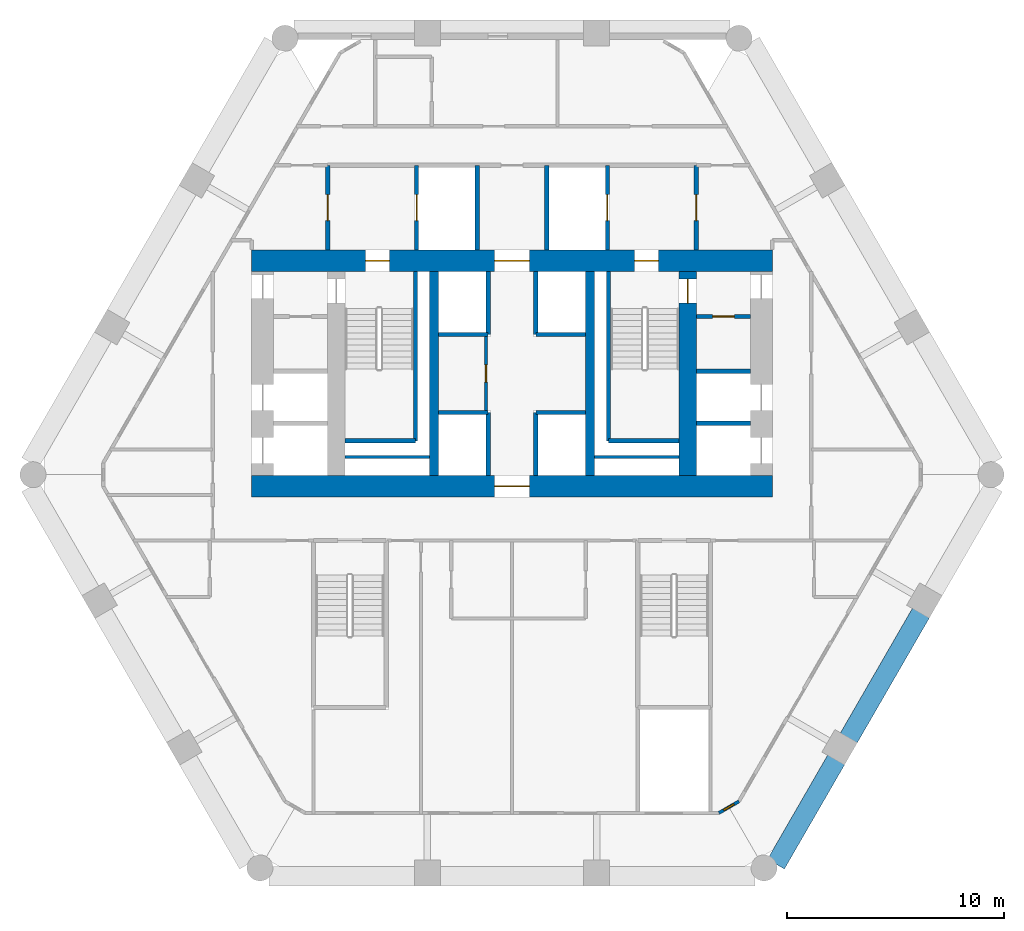
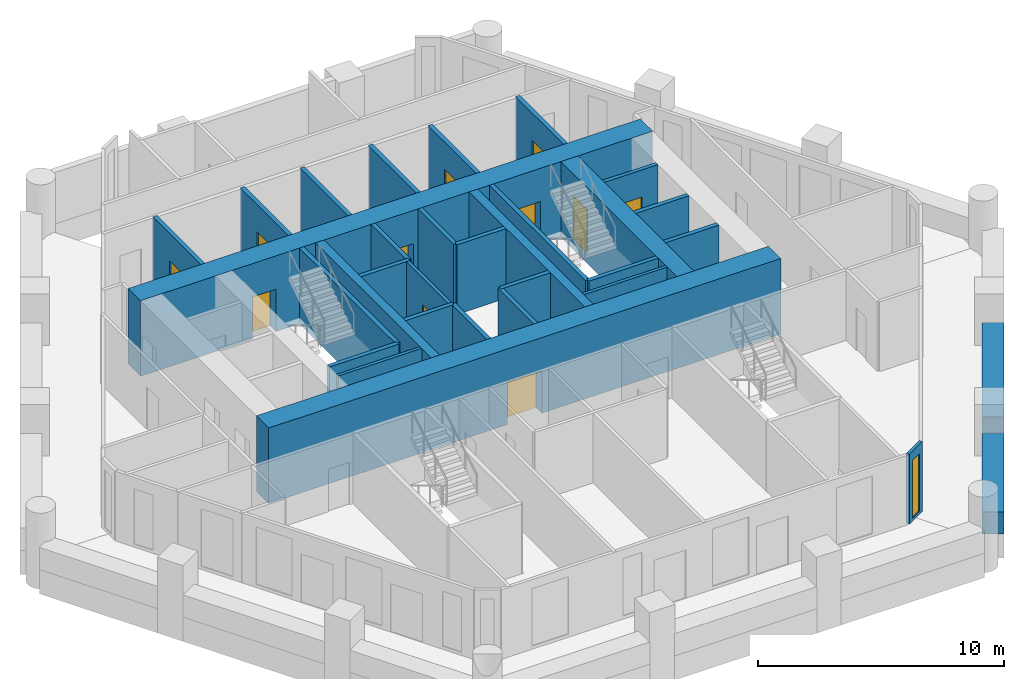
# One storey, part 4 of 7: 32 walls, 11 doors, 1 window, 12 openings.
"""IFC4 building model written with IfcOpenShell, lengths in metres."""

from ifc_helpers import new_model, si_unit, direction, frame, frame_2d, origin, place, context, subcontext, project, spatial, rectangle, extrude, material, layer, layer_set, type_object, element, fill, save


model = new_model("IFC4")

# Units and contexts
model_context = context("Model", 3, precision=1e-05, world=origin(), true_north=direction((0.0, 1.0)))
body_context = subcontext(model_context, "Body", "Model", "MODEL_VIEW")
ifc_project = project(units=[si_unit("LENGTHUNIT", "METRE"), si_unit("AREAUNIT", "SQUARE_METRE"), si_unit("VOLUMEUNIT", "CUBIC_METRE"), si_unit("PLANEANGLEUNIT", "RADIAN"), si_unit("MASSUNIT", "GRAM", prefix="KILO")], contexts=[model_context])

# Site, building, storey
site_placement = place(None, origin())
site = spatial("IfcSite", under=ifc_project, at=site_placement, CompositionType="ELEMENT")
building_placement = place(site_placement, origin())
building = spatial("IfcBuilding", under=site, at=building_placement, Name="Ostrander Bayou Hotel Tower", CompositionType="ELEMENT")
storey_placement = place(building_placement, frame((0.0, 0.0, 123.5)))
storey = spatial("IfcBuildingStorey", under=building, at=storey_placement, Name="L30", CompositionType="ELEMENT", Elevation=123.5)

# Wall, opening, door
ifc_material_1 = material(Name="Concrete f'c 70 MPa", Category="concrete")
ifc_layer_1 = layer(ifc_material_1, 1.0)
ifc_layer_set_1 = layer_set([ifc_layer_1], Name="CW4 core wall 1000 mm f'c 70 MPa")
wall_type_1 = type_object("IfcWallType", Name="CW4 core wall 1000 mm f'c 70 MPa", PredefinedType="SHEAR", material=ifc_layer_set_1)
wall_1_placement = place(storey_placement, frame((-12.0, -1.199951171875, -0.300048828125), z_axis=(0.0, 0.0, 1.0), x_axis=(1.0, 0.0, 0.0)))
wall_1 = element("IfcWall", 1, at=wall_1_placement, inside=storey, type_object=wall_type_1, Name="CW4 L30 S", PredefinedType="SHEAR", context=body_context, shape_type="SweptSolid", body=[
    extrude(rectangle(XDim=24.0, YDim=1.0, at=frame_2d((12.0, 0.0))), origin(), (0.0, 0.0, 1.0), 3.75),
])
opening_1_placement = place(wall_1_placement, frame((11.199951171875, 0.0, 0.0)))
opening_1 = element("IfcOpeningElement", 2, at=opening_1_placement, cuts=wall_1, Name="Opening T28-001", PredefinedType="OPENING", context=body_context, shape_type="SweptSolid", body=[
    extrude(rectangle(XDim=1.60009765625, YDim=2.10009765625, at=frame_2d((0.800048828125, 1.050048828125))), frame((0.0, 0.5, 0.0), z_axis=(0.0, -1.0, 0.0), x_axis=(1.0, 0.0, 0.0)), (0.0, 0.0, 1.0), 1.0),
])
ifc_material_2 = material(Name="Timber door leaf", Category="wood")
door_type_1 = type_object("IfcDoorType", Name="D13 double door 1600 x 2100 mm, 1 hour", OperationType="SINGLE_SWING_LEFT", PredefinedType="DOOR", material=ifc_material_2)
door_1_placement = place(opening_1_placement, origin())
door_1 = element("IfcDoor", 3, at=door_1_placement, inside=storey, type_object=door_type_1, Name="dr:L30:001", OperationType="DOUBLE_DOOR_SINGLE_SWING", OverallHeight=2.10009765625, OverallWidth=1.60009765625, PredefinedType="DOOR", context=body_context, shape_type="SweptSolid", body=[
    extrude(rectangle(XDim=1.60009765625, YDim=2.10009765625, at=frame_2d((0.800048828125, 1.050048828125))), frame((0.0, 0.02490234375, 0.0), z_axis=(0.0, -1.0, 0.0), x_axis=(1.0, 0.0, 0.0)), (0.0, 0.0, 1.0), 0.050048828125),
])
fill(opening_1, door_1)

# Wall, openings, doors
wall_2_placement = place(storey_placement, frame((-12.0, 9.199951171875, -0.300048828125), z_axis=(0.0, 0.0, 1.0), x_axis=(1.0, 0.0, 0.0)))
wall_2 = element("IfcWall", 4, at=wall_2_placement, inside=storey, type_object=wall_type_1, Name="CW4 L30 N", PredefinedType="SHEAR", context=body_context, shape_type="SweptSolid", body=[
    extrude(rectangle(XDim=24.0, YDim=1.0, at=frame_2d((12.0, 0.0))), origin(), (0.0, 0.0, 1.0), 3.75),
])
opening_2_placement = place(wall_2_placement, frame((11.199951171875, 0.0, 0.0)))
opening_2 = element("IfcOpeningElement", 5, at=opening_2_placement, cuts=wall_2, Name="Opening T28-002", PredefinedType="OPENING", context=body_context, shape_type="SweptSolid", body=[
    extrude(rectangle(XDim=1.60009765625, YDim=2.10009765625, at=frame_2d((0.800048828125, 1.050048828125))), frame((0.0, 0.5, 0.0), z_axis=(0.0, -1.0, 0.0), x_axis=(1.0, 0.0, 0.0)), (0.0, 0.0, 1.0), 1.0),
])
opening_3_placement = place(wall_2_placement, frame((5.25, 0.0, 0.0)))
opening_3 = element("IfcOpeningElement", 6, at=opening_3_placement, cuts=wall_2, Name="Opening T28-003", PredefinedType="OPENING", context=body_context, shape_type="SweptSolid", body=[
    extrude(rectangle(XDim=1.10009765625, YDim=2.10009765625, at=frame_2d((0.550048828125, 1.050048828125))), frame((0.0, 0.5, 0.0), z_axis=(0.0, -1.0, 0.0), x_axis=(1.0, 0.0, 0.0)), (0.0, 0.0, 1.0), 1.0),
])
opening_4_placement = place(wall_2_placement, frame((17.64990234375, 0.0, 0.0)))
opening_4 = element("IfcOpeningElement", 7, at=opening_4_placement, cuts=wall_2, Name="Opening T28-005", PredefinedType="OPENING", context=body_context, shape_type="SweptSolid", body=[
    extrude(rectangle(XDim=1.10009765625, YDim=2.10009765625, at=frame_2d((0.550048828125, 1.050048828125))), frame((0.0, 0.5, 0.0), z_axis=(0.0, -1.0, 0.0), x_axis=(1.0, 0.0, 0.0)), (0.0, 0.0, 1.0), 1.0),
])
door_2_placement = place(opening_2_placement, origin())
door_2 = element("IfcDoor", 8, at=door_2_placement, inside=storey, type_object=door_type_1, Name="dr:L30:002", OperationType="DOUBLE_DOOR_SINGLE_SWING", OverallHeight=2.10009765625, OverallWidth=1.60009765625, PredefinedType="DOOR", context=body_context, shape_type="SweptSolid", body=[
    extrude(rectangle(XDim=1.60009765625, YDim=2.10009765625, at=frame_2d((0.800048828125, 1.050048828125))), frame((0.0, 0.02490234375, 0.0), z_axis=(0.0, -1.0, 0.0), x_axis=(1.0, 0.0, 0.0)), (0.0, 0.0, 1.0), 0.050048828125),
])
fill(opening_2, door_2)
ifc_material_3 = material(Name="Timber door leaf", Category="wood")
door_type_2 = type_object("IfcDoorType", Name="D5 stair door 1100 x 2100 mm, 90 minute", OperationType="SINGLE_SWING_LEFT", PredefinedType="DOOR", material=ifc_material_3)
door_3_placement = place(opening_3_placement, origin())
door_3 = element("IfcDoor", 9, at=door_3_placement, inside=storey, type_object=door_type_2, Name="dr:L30:003", OperationType="SINGLE_SWING_LEFT", OverallHeight=2.10009765625, OverallWidth=1.10009765625, PredefinedType="DOOR", context=body_context, shape_type="SweptSolid", body=[
    extrude(rectangle(XDim=1.10009765625, YDim=2.10009765625, at=frame_2d((0.550048828125, 1.050048828125))), frame((0.0, 0.02490234375, 0.0), z_axis=(0.0, -1.0, 0.0), x_axis=(1.0, 0.0, 0.0)), (0.0, 0.0, 1.0), 0.050048828125),
])
fill(opening_3, door_3)
door_4_placement = place(opening_4_placement, origin())
door_4 = element("IfcDoor", 10, at=door_4_placement, inside=storey, type_object=door_type_2, Name="dr:L30:005", OperationType="SINGLE_SWING_RIGHT", OverallHeight=2.10009765625, OverallWidth=1.10009765625, PredefinedType="DOOR", context=body_context, shape_type="SweptSolid", body=[
    extrude(rectangle(XDim=1.10009765625, YDim=2.10009765625, at=frame_2d((0.550048828125, 1.050048828125))), frame((0.0, 0.02490234375, 0.0), z_axis=(0.0, -1.0, 0.0), x_axis=(1.0, 0.0, 0.0)), (0.0, 0.0, 1.0), 0.050048828125),
])
fill(opening_4, door_4)

# Wall, opening, door
ifc_material_4 = material(Name="Concrete f'c 70 MPa", Category="concrete")
ifc_layer_2 = layer(ifc_material_4, 0.800048828125)
ifc_layer_set_2 = layer_set([ifc_layer_2], Name="CW5 core spine wall 800 mm f'c 70 MPa")
wall_type_2 = type_object("IfcWallType", Name="CW5 core spine wall 800 mm f'c 70 MPa", PredefinedType="SHEAR", material=ifc_layer_set_2)
wall_3_placement = place(storey_placement, frame((8.10009765625, -0.699951171875, -0.300048828125), z_axis=(0.0, 0.0, 1.0), x_axis=(0.0, 1.0, 0.0)))
wall_3 = element("IfcWall", 11, at=wall_3_placement, inside=storey, type_object=wall_type_2, Name="CW5 L30 E", PredefinedType="SHEAR", context=body_context, shape_type="SweptSolid", body=[
    extrude(rectangle(XDim=9.39990234375, YDim=0.800048828125, at=frame_2d((4.699951171875, 0.0))), origin(), (0.0, 0.0, 1.0), 3.75),
])
opening_5_placement = place(wall_3_placement, frame((7.949951171875, 0.0, 0.0)))
opening_5 = element("IfcOpeningElement", 12, at=opening_5_placement, cuts=wall_3, Name="Opening T28-006", PredefinedType="OPENING", context=body_context, shape_type="SweptSolid", body=[
    extrude(rectangle(XDim=1.10009765625, YDim=2.10009765625, at=frame_2d((0.550048828125, 1.050048828125))), frame((0.0, 0.39990234375, 0.0), z_axis=(0.0, -1.0, 0.0), x_axis=(1.0, 0.0, 0.0)), (0.0, 0.0, 1.0), 0.800048828125),
])
door_5_placement = place(opening_5_placement, origin())
door_5 = element("IfcDoor", 13, at=door_5_placement, inside=storey, type_object=door_type_2, Name="dr:L30:006", OperationType="SINGLE_SWING_LEFT", OverallHeight=2.10009765625, OverallWidth=1.10009765625, PredefinedType="DOOR", context=body_context, shape_type="SweptSolid", body=[
    extrude(rectangle(XDim=1.10009765625, YDim=2.10009765625, at=frame_2d((0.550048828125, 1.050048828125))), frame((0.0, 0.02490234375, 0.0), z_axis=(0.0, -1.0, 0.0), x_axis=(1.0, 0.0, 0.0)), (0.0, 0.0, 1.0), 0.050048828125),
])
fill(opening_5, door_5)

# Walls
ifc_material_5 = material(Name="Concrete f'c 70 MPa", Category="concrete")
ifc_layer_3 = layer(ifc_material_5, 0.39990234375)
ifc_layer_set_3 = layer_set([ifc_layer_3], Name="CW6 core bank wall 400 mm f'c 70 MPa")
wall_type_3 = type_object("IfcWallType", Name="CW6 core bank wall 400 mm f'c 70 MPa", PredefinedType="SHEAR", material=ifc_layer_set_3)
for number, where, z_axis, x_axis, name in (
    (14, (-3.60009765625, -0.699951171875, -0.300048828125), (0.0, 0.0, 1.0), (0.0, 1.0, 0.0), "CW6 L30 CW"),
    (15, (3.60009765625, -0.699951171875, -0.300048828125), (0.0, 0.0, 1.0), (0.0, 1.0, 0.0), "CW6 L30 CE"),
):
    element("IfcWall", number, at=place(storey_placement, frame(where, z_axis=z_axis, x_axis=x_axis)), inside=storey, type_object=wall_type_3, Name=name, PredefinedType="SHEAR", context=body_context, shape_type="SweptSolid", body=[
        extrude(rectangle(XDim=9.39990234375, YDim=0.39990234375, at=frame_2d((4.699951171875, 0.0))), origin(), (0.0, 0.0, 1.0), 3.75),
    ])

# Wall, opening, window
ifc_material_6 = material(Name="Aluminium framed insulated wall", Category="aluminium")
ifc_layer_4 = layer(ifc_material_6, 0.14990234375)
ifc_layer_set_4 = layer_set([ifc_layer_4], Name="GW1 glass-line wall 150 mm")
wall_type_4 = type_object("IfcWallType", Name="GW1 glass-line wall 150 mm", PredefinedType="SOLIDWALL", material=ifc_layer_set_4)
wall_4_placement = place(storey_placement, frame((9.541015625, -16.259521484375, 0.0), z_axis=(0.0, 0.0, 1.0), x_axis=(0.866048165231, 0.499960573946, 0.0)))
wall_4 = element("IfcWall", 16, at=wall_4_placement, inside=storey, type_object=wall_type_4, Name="GW1 L30 corner 4", PredefinedType="SOLIDWALL", context=body_context, shape_type="SweptSolid", body=[
    extrude(rectangle(XDim=1.06494140625, YDim=0.14990234375, at=frame_2d((0.532470703125, 0.0))), origin(), (0.0, 0.0, 1.0), 3.449951171875),
])
opening_6_placement = place(wall_4_placement, frame((0.257568359375, 0.0, 0.14990234375)))
opening_6 = element("IfcOpeningElement", 17, at=opening_6_placement, cuts=wall_4, Name="Opening W19", PredefinedType="OPENING", context=body_context, shape_type="SweptSolid", body=[
    extrude(rectangle(XDim=0.550048828125, YDim=2.85009765625, at=frame_2d((0.27490234375, 1.425048828125))), frame((0.0, 0.074951171875, 0.0), z_axis=(0.0, -1.0, 0.0), x_axis=(1.0, 0.0, 0.0)), (0.0, 0.0, 1.0), 0.14990234375),
])
ifc_material_7 = material(Name="Aluminium and clear glass", Category="aluminium")
window_type = type_object("IfcWindowType", Name="W19 corner window 550 mm", PartitioningType="SINGLE_PANEL", PredefinedType="WINDOW", material=ifc_material_7)
window_placement = place(opening_6_placement, origin())
window = element("IfcWindow", 18, at=window_placement, inside=storey, type_object=window_type, Name="W19 L30 corner 4", OverallHeight=2.85009765625, OverallWidth=0.550048828125, PartitioningType="SINGLE_PANEL", PredefinedType="WINDOW", context=body_context, shape_type="SweptSolid", body=[
    extrude(rectangle(XDim=0.550048828125, YDim=2.85009765625, at=frame_2d((0.27490234375, 1.425048828125))), frame((0.0, 0.030029296875, 0.0), z_axis=(0.0, -1.0, 0.0), x_axis=(1.0, 0.0, 0.0)), (0.0, 0.0, 1.0), 0.06005859375),
])
fill(opening_6, window)

# Walls
ifc_material_8 = material(Name="Limestone masonry", Category="masonry")
ifc_layer_5 = layer(ifc_material_8, 0.89990234375)
ifc_layer_set_5 = layer_set([ifc_layer_5], Name="PA2 limestone parapet 900 mm")
wall_type_5 = type_object("IfcWallType", Name="PA2 limestone parapet 900 mm", PredefinedType="PARAPET", material=ifc_layer_set_5)
wall_5_placement = place(storey_placement, frame((12.169921875, -18.620849609375, 0.0), z_axis=(0.0, 0.0, 1.0), x_axis=(0.500008568482, 0.866020456713, 0.0)))
element("IfcWall", 19, at=wall_5_placement, inside=storey, type_object=wall_type_5, Name="PA2 L30 SE-1", PredefinedType="PARAPET", context=body_context, shape_type="SweptSolid", body=[
    extrude(rectangle(XDim=5.564453125, YDim=0.89990234375, at=frame_2d((2.7822265625, 0.0))), origin(), (0.0, 0.0, 1.0), 1.10009765625),
])
wall_6_placement = place(storey_placement, frame((15.522216796875, -12.814697265625, 0.0), z_axis=(0.0, 0.0, 1.0), x_axis=(0.499999023957, 0.866025967302, 0.0)))
element("IfcWall", 20, at=wall_6_placement, inside=storey, type_object=wall_type_5, Name="PA2 L30 SE-2", PredefinedType="PARAPET", context=body_context, shape_type="SweptSolid", body=[
    extrude(rectangle(XDim=6.67333984375, YDim=0.89990234375, at=frame_2d((3.336669921875, 0.0))), origin(), (0.0, 0.0, 1.0), 1.10009765625),
])

# Wall, opening, door
ifc_material_9 = material(Name="Gypsum board partition", Category="finish")
ifc_layer_6 = layer(ifc_material_9, 0.175048828125)
ifc_layer_set_6 = layer_set([ifc_layer_6], Name="PT4 corridor wall 175 mm, 1 hour")
wall_type_6 = type_object("IfcWallType", Name="PT4 corridor wall 175 mm, 1 hour", PredefinedType="PARTITIONING", material=ifc_layer_set_6)
wall_7_placement = place(storey_placement, frame((8.5, 6.6298828125, 0.0), z_axis=(0.0, 0.0, 1.0), x_axis=(1.0, 0.0, 0.0)))
wall_7 = element("IfcWall", 21, at=wall_7_placement, inside=storey, type_object=wall_type_6, Name="cs:L30:038", PredefinedType="PARTITIONING", context=body_context, shape_type="SweptSolid", body=[
    extrude(rectangle(XDim=2.5, YDim=0.175048828125, at=frame_2d((1.25, 0.0))), origin(), (0.0, 0.0, 1.0), 3.449951171875),
])
opening_7_placement = place(wall_7_placement, frame((0.75, 0.0, 0.0)))
opening_7 = element("IfcOpeningElement", 22, at=opening_7_placement, cuts=wall_7, Name="Opening T28-019", PredefinedType="OPENING", context=body_context, shape_type="SweptSolid", body=[
    extrude(rectangle(XDim=1.0, YDim=2.10009765625, at=frame_2d((0.5, 1.050048828125))), frame((0.0, 0.08740234375, 0.0), z_axis=(0.0, -1.0, 0.0), x_axis=(1.0, 0.0, 0.0)), (0.0, 0.0, 1.0), 0.175048828125),
])
ifc_material_10 = material(Name="Timber door leaf", Category="wood")
door_type_3 = type_object("IfcDoorType", Name="D4 corridor door 1000 x 2100 mm, 1 hour", OperationType="SINGLE_SWING_LEFT", PredefinedType="DOOR", material=ifc_material_10)
door_6_placement = place(opening_7_placement, origin())
door_6 = element("IfcDoor", 23, at=door_6_placement, inside=storey, type_object=door_type_3, Name="dr:L30:019", OperationType="SINGLE_SWING_RIGHT", OverallHeight=2.10009765625, OverallWidth=1.0, PredefinedType="DOOR", context=body_context, shape_type="SweptSolid", body=[
    extrude(rectangle(XDim=1.0, YDim=2.10009765625, at=frame_2d((0.5, 1.050048828125))), frame((0.0, 0.02490234375, 0.0), z_axis=(0.0, -1.0, 0.0), x_axis=(1.0, 0.0, 0.0)), (0.0, 0.0, 1.0), 0.050048828125),
])
fill(opening_7, door_6)

ifc_material_11 = material(Name="Masonry block", Category="masonry")
ifc_layer_7 = layer(ifc_material_11, 0.199951171875)
ifc_layer_set_7 = layer_set([ifc_layer_7], Name="PT5 stair enclosure wall 200 mm masonry, 2 hour")
wall_type_7 = type_object("IfcWallType", Name="PT5 stair enclosure wall 200 mm masonry, 2 hour", PredefinedType="PARTITIONING", material=ifc_layer_set_7)
wall_8_placement = place(storey_placement, frame((-8.5, 9.699951171875, 0.0), z_axis=(0.0, 0.0, 1.0), x_axis=(0.0, 1.0, 0.0)))
wall_8 = element("IfcWall", 24, at=wall_8_placement, inside=storey, type_object=wall_type_7, Name="cs:L30:026", PredefinedType="PARTITIONING", context=body_context, shape_type="SweptSolid", body=[
    extrude(rectangle(XDim=3.900146484375, YDim=0.199951171875, at=frame_2d((1.9501953125, 0.0))), origin(), (0.0, 0.0, 1.0), 3.449951171875),
])
opening_8_placement = place(wall_8_placement, frame((1.35009765625, 0.0, 0.0)))
opening_8 = element("IfcOpeningElement", 25, at=opening_8_placement, cuts=wall_8, Name="Opening T28-010", PredefinedType="OPENING", context=body_context, shape_type="SweptSolid", body=[
    extrude(rectangle(XDim=1.199951171875, YDim=2.10009765625, at=frame_2d((0.60009765625, 1.050048828125))), frame((0.0, 0.10009765625, 0.0), z_axis=(0.0, -1.0, 0.0), x_axis=(1.0, 0.0, 0.0)), (0.0, 0.0, 1.0), 0.199951171875),
])
ifc_material_12 = material(Name="Timber door leaf", Category="wood")
door_type_4 = type_object("IfcDoorType", Name="D7 lobby door 1200 x 2100 mm, 1 hour", OperationType="SINGLE_SWING_LEFT", PredefinedType="DOOR", material=ifc_material_12)
door_7_placement = place(opening_8_placement, origin())
door_7 = element("IfcDoor", 26, at=door_7_placement, inside=storey, type_object=door_type_4, Name="dr:L30:010", OperationType="SINGLE_SWING_LEFT", OverallHeight=2.10009765625, OverallWidth=1.199951171875, PredefinedType="DOOR", context=body_context, shape_type="SweptSolid", body=[
    extrude(rectangle(XDim=1.199951171875, YDim=2.10009765625, at=frame_2d((0.60009765625, 1.050048828125))), frame((0.0, 0.02490234375, 0.0), z_axis=(0.0, -1.0, 0.0), x_axis=(1.0, 0.0, 0.0)), (0.0, 0.0, 1.0), 0.050048828125),
])
fill(opening_8, door_7)

wall_9_placement = place(storey_placement, frame((8.5, 9.699951171875, 0.0), z_axis=(0.0, 0.0, 1.0), x_axis=(0.0, 1.0, 0.0)))
wall_9 = element("IfcWall", 27, at=wall_9_placement, inside=storey, type_object=wall_type_7, Name="cs:L30:027", PredefinedType="PARTITIONING", context=body_context, shape_type="SweptSolid", body=[
    extrude(rectangle(XDim=3.900146484375, YDim=0.199951171875, at=frame_2d((1.9501953125, 0.0))), origin(), (0.0, 0.0, 1.0), 3.449951171875),
])
opening_9_placement = place(wall_9_placement, frame((1.35009765625, 0.0, 0.0)))
opening_9 = element("IfcOpeningElement", 28, at=opening_9_placement, cuts=wall_9, Name="Opening T28-012", PredefinedType="OPENING", context=body_context, shape_type="SweptSolid", body=[
    extrude(rectangle(XDim=1.199951171875, YDim=2.10009765625, at=frame_2d((0.60009765625, 1.050048828125))), frame((0.0, 0.10009765625, 0.0), z_axis=(0.0, -1.0, 0.0), x_axis=(1.0, 0.0, 0.0)), (0.0, 0.0, 1.0), 0.199951171875),
])
door_8_placement = place(opening_9_placement, origin())
door_8 = element("IfcDoor", 29, at=door_8_placement, inside=storey, type_object=door_type_4, Name="dr:L30:012", OperationType="SINGLE_SWING_LEFT", OverallHeight=2.10009765625, OverallWidth=1.199951171875, PredefinedType="DOOR", context=body_context, shape_type="SweptSolid", body=[
    extrude(rectangle(XDim=1.199951171875, YDim=2.10009765625, at=frame_2d((0.60009765625, 1.050048828125))), frame((0.0, 0.02490234375, 0.0), z_axis=(0.0, -1.0, 0.0), x_axis=(1.0, 0.0, 0.0)), (0.0, 0.0, 1.0), 0.050048828125),
])
fill(opening_9, door_8)

wall_10_placement = place(storey_placement, frame((-4.39990234375, 9.699951171875, 0.0), z_axis=(0.0, 0.0, 1.0), x_axis=(0.0, 1.0, 0.0)))
wall_10 = element("IfcWall", 30, at=wall_10_placement, inside=storey, type_object=wall_type_7, Name="cs:L30:028", PredefinedType="PARTITIONING", context=body_context, shape_type="SweptSolid", body=[
    extrude(rectangle(XDim=3.900146484375, YDim=0.199951171875, at=frame_2d((1.9501953125, 0.0))), origin(), (0.0, 0.0, 1.0), 3.449951171875),
])
opening_10_placement = place(wall_10_placement, frame((1.35009765625, 0.0, 0.0)))
opening_10 = element("IfcOpeningElement", 31, at=opening_10_placement, cuts=wall_10, Name="Opening T28-009", PredefinedType="OPENING", context=body_context, shape_type="SweptSolid", body=[
    extrude(rectangle(XDim=1.199951171875, YDim=2.10009765625, at=frame_2d((0.60009765625, 1.050048828125))), frame((0.0, 0.10009765625, 0.0), z_axis=(0.0, -1.0, 0.0), x_axis=(1.0, 0.0, 0.0)), (0.0, 0.0, 1.0), 0.199951171875),
])
ifc_material_13 = material(Name="Stainless steel sliding door", Category="steel")
door_type_5 = type_object("IfcDoorType", Name="LD1 lift landing door 1200 x 2100 mm", OperationType="SINGLE_SWING_LEFT", PredefinedType="DOOR", material=ifc_material_13)
door_9_placement = place(opening_10_placement, origin())
door_9 = element("IfcDoor", 32, at=door_9_placement, inside=storey, type_object=door_type_5, Name="dr:L30:009", OperationType="SLIDING_TO_LEFT", OverallHeight=2.10009765625, OverallWidth=1.199951171875, PredefinedType="DOOR", context=body_context, shape_type="SweptSolid", body=[
    extrude(rectangle(XDim=1.199951171875, YDim=2.10009765625, at=frame_2d((0.60009765625, 1.050048828125))), frame((0.0, 0.02490234375, 0.0), z_axis=(0.0, -1.0, 0.0), x_axis=(1.0, 0.0, 0.0)), (0.0, 0.0, 1.0), 0.050048828125),
])
fill(opening_10, door_9)

wall_11_placement = place(storey_placement, frame((4.39990234375, 9.699951171875, 0.0), z_axis=(0.0, 0.0, 1.0), x_axis=(0.0, 1.0, 0.0)))
wall_11 = element("IfcWall", 33, at=wall_11_placement, inside=storey, type_object=wall_type_7, Name="cs:L30:029", PredefinedType="PARTITIONING", context=body_context, shape_type="SweptSolid", body=[
    extrude(rectangle(XDim=3.900146484375, YDim=0.199951171875, at=frame_2d((1.9501953125, 0.0))), origin(), (0.0, 0.0, 1.0), 3.449951171875),
])
opening_11_placement = place(wall_11_placement, frame((1.35009765625, 0.0, 0.0)))
opening_11 = element("IfcOpeningElement", 34, at=opening_11_placement, cuts=wall_11, Name="Opening T28-011", PredefinedType="OPENING", context=body_context, shape_type="SweptSolid", body=[
    extrude(rectangle(XDim=1.199951171875, YDim=2.10009765625, at=frame_2d((0.60009765625, 1.050048828125))), frame((0.0, 0.10009765625, 0.0), z_axis=(0.0, -1.0, 0.0), x_axis=(1.0, 0.0, 0.0)), (0.0, 0.0, 1.0), 0.199951171875),
])
door_10_placement = place(opening_11_placement, origin())
door_10 = element("IfcDoor", 35, at=door_10_placement, inside=storey, type_object=door_type_5, Name="dr:L30:011", OperationType="SLIDING_TO_LEFT", OverallHeight=2.10009765625, OverallWidth=1.199951171875, PredefinedType="DOOR", context=body_context, shape_type="SweptSolid", body=[
    extrude(rectangle(XDim=1.199951171875, YDim=2.10009765625, at=frame_2d((0.60009765625, 1.050048828125))), frame((0.0, 0.02490234375, 0.0), z_axis=(0.0, -1.0, 0.0), x_axis=(1.0, 0.0, 0.0)), (0.0, 0.0, 1.0), 0.050048828125),
])
fill(opening_11, door_10)

# Walls
ifc_material_14 = material(Name="Masonry block", Category="masonry")
ifc_layer_8 = layer(ifc_material_14, 0.199951171875)
ifc_layer_set_8 = layer_set([ifc_layer_8], Name="PT6 lift shaft wall 200 mm masonry, 2 hour")
wall_type_8 = type_object("IfcWallType", Name="PT6 lift shaft wall 200 mm masonry, 2 hour", PredefinedType="PARTITIONING", material=ifc_layer_set_8)
for number, where, z_axis, x_axis, name in (
    (36, (-3.39990234375, 2.199951171875, 0.0), (0.0, 0.0, 1.0), (1.0, 0.0, 0.0), "cs:L30:001"),
    (37, (-3.39990234375, 5.800048828125, 0.0), (0.0, 0.0, 1.0), (1.0, 0.0, 0.0), "cs:L30:002"),
    (38, (1.10009765625, 2.199951171875, 0.0), (0.0, 0.0, 1.0), (1.0, 0.0, 0.0), "cs:L30:003"),
    (39, (1.10009765625, 5.800048828125, 0.0), (0.0, 0.0, 1.0), (1.0, 0.0, 0.0), "cs:L30:004"),
):
    element("IfcWall", number, at=place(storey_placement, frame(where, z_axis=z_axis, x_axis=x_axis)), inside=storey, type_object=wall_type_8, Name=name, PredefinedType="PARTITIONING", context=body_context, shape_type="SweptSolid", body=[
        extrude(rectangle(XDim=2.2998046875, YDim=0.199951171875, at=frame_2d((1.14990234375, 0.0))), origin(), (0.0, 0.0, 1.0), 3.449951171875),
    ])
for number, where, z_axis, x_axis, name in (
    (40, (-1.10009765625, -0.699951171875, 0.0), (0.0, 0.0, 1.0), (0.0, 1.0, 0.0), "cs:L30:005"),
    (41, (1.10009765625, -0.699951171875, 0.0), (0.0, 0.0, 1.0), (0.0, 1.0, 0.0), "cs:L30:006"),
    (42, (-1.10009765625, 5.800048828125, 0.0), (0.0, 0.0, 1.0), (0.0, 1.0, 0.0), "cs:L30:007"),
    (43, (1.10009765625, 5.800048828125, 0.0), (0.0, 0.0, 1.0), (0.0, 1.0, 0.0), "cs:L30:008"),
):
    element("IfcWall", number, at=place(storey_placement, frame(where, z_axis=z_axis, x_axis=x_axis)), inside=storey, type_object=wall_type_8, Name=name, PredefinedType="PARTITIONING", context=body_context, shape_type="SweptSolid", body=[
        extrude(rectangle(XDim=2.89990234375, YDim=0.199951171875, at=frame_2d((1.449951171875, 0.0))), origin(), (0.0, 0.0, 1.0), 3.449951171875),
    ])
for number, where, z_axis, x_axis, name in (
    (44, (-1.60009765625, 9.699951171875, 0.0), (0.0, 0.0, 1.0), (0.0, 1.0, 0.0), "cs:L30:030"),
    (45, (1.60009765625, 9.699951171875, 0.0), (0.0, 0.0, 1.0), (0.0, 1.0, 0.0), "cs:L30:031"),
):
    element("IfcWall", number, at=place(storey_placement, frame(where, z_axis=z_axis, x_axis=x_axis)), inside=storey, type_object=wall_type_8, Name=name, PredefinedType="PARTITIONING", context=body_context, shape_type="SweptSolid", body=[
        extrude(rectangle(XDim=3.900146484375, YDim=0.199951171875, at=frame_2d((1.9501953125, 0.0))), origin(), (0.0, 0.0, 1.0), 3.449951171875),
    ])
for number, where, z_axis, x_axis, name in (
    (46, (8.5, 1.699951171875, 0.0), (0.0, 0.0, 1.0), (1.0, 0.0, 0.0), "cs:L30:036"),
    (47, (8.5, 4.10009765625, 0.0), (0.0, 0.0, 1.0), (1.0, 0.0, 0.0), "cs:L30:037"),
):
    element("IfcWall", number, at=place(storey_placement, frame(where, z_axis=z_axis, x_axis=x_axis)), inside=storey, type_object=wall_type_8, Name=name, PredefinedType="PARTITIONING", context=body_context, shape_type="SweptSolid", body=[
        extrude(rectangle(XDim=2.5, YDim=0.199951171875, at=frame_2d((1.25, 0.0))), origin(), (0.0, 0.0, 1.0), 3.449951171875),
    ])
ifc_material_15 = material(Name="Gypsum board partition", Category="finish")
ifc_layer_9 = layer(ifc_material_15, 0.14990234375)
ifc_layer_set_9 = layer_set([ifc_layer_9], Name="PT7 riser wall 150 mm, 2 hour")
wall_type_9 = type_object("IfcWallType", Name="PT7 riser wall 150 mm, 2 hour", PredefinedType="PARTITIONING", material=ifc_layer_set_9)
for number, where, z_axis, x_axis, name in (
    (48, (-7.699951171875, 0.14990234375, 0.0), (0.0, 0.0, 1.0), (1.0, 0.0, 0.0), "cs:L30:011"),
    (49, (3.800048828125, 0.14990234375, 0.0), (0.0, 0.0, 1.0), (1.0, 0.0, 0.0), "cs:L30:014"),
):
    element("IfcWall", number, at=place(storey_placement, frame(where, z_axis=z_axis, x_axis=x_axis)), inside=storey, type_object=wall_type_9, Name=name, PredefinedType="PARTITIONING", context=body_context, shape_type="SweptSolid", body=[
        extrude(rectangle(XDim=3.89990234375, YDim=0.14990234375, at=frame_2d((1.949951171875, 0.0))), origin(), (0.0, 0.0, 1.0), 3.449951171875),
    ])

# Wall, opening, door
wall_12_placement = place(storey_placement, frame((-1.199951171875, 2.300048828125, 0.0), z_axis=(0.0, 0.0, 1.0), x_axis=(0.0, 1.0, 0.0)))
wall_12 = element("IfcWall", 50, at=wall_12_placement, inside=storey, type_object=wall_type_9, Name="cs:L30:032", PredefinedType="PARTITIONING", context=body_context, shape_type="SweptSolid", body=[
    extrude(rectangle(XDim=3.39990234375, YDim=0.14990234375, at=frame_2d((1.699951171875, 0.0))), origin(), (0.0, 0.0, 1.0), 3.449951171875),
])
opening_12_placement = place(wall_12_placement, frame((1.300048828125, 0.0, 0.0)))
opening_12 = element("IfcOpeningElement", 51, at=opening_12_placement, cuts=wall_12, Name="Opening T28-014", PredefinedType="OPENING", context=body_context, shape_type="SweptSolid", body=[
    extrude(rectangle(XDim=0.800048828125, YDim=2.10009765625, at=frame_2d((0.39990234375, 1.050048828125))), frame((0.0, 0.074951171875, 0.0), z_axis=(0.0, -1.0, 0.0), x_axis=(1.0, 0.0, 0.0)), (0.0, 0.0, 1.0), 0.14990234375),
])
ifc_material_16 = material(Name="Timber door leaf", Category="wood")
door_type_6 = type_object("IfcDoorType", Name="D6 riser door 800 x 2100 mm, 90 minute", OperationType="SINGLE_SWING_LEFT", PredefinedType="DOOR", material=ifc_material_16)
door_11_placement = place(opening_12_placement, origin())
door_11 = element("IfcDoor", 52, at=door_11_placement, inside=storey, type_object=door_type_6, Name="dr:L30:014", OperationType="SINGLE_SWING_LEFT", OverallHeight=2.10009765625, OverallWidth=0.800048828125, PredefinedType="DOOR", context=body_context, shape_type="SweptSolid", body=[
    extrude(rectangle(XDim=0.800048828125, YDim=2.10009765625, at=frame_2d((0.39990234375, 1.050048828125))), frame((0.0, 0.02490234375, 0.0), z_axis=(0.0, -1.0, 0.0), x_axis=(1.0, 0.0, 0.0)), (0.0, 0.0, 1.0), 0.050048828125),
])
fill(opening_12, door_11)

# Walls
ifc_material_17 = material(Name="Concrete f'c 45 MPa", Category="concrete")
ifc_layer_10 = layer(ifc_material_17, 0.199951171875)
ifc_layer_set_10 = layer_set([ifc_layer_10], Name="SW5 stair enclosure wall 200 mm f'c 45 MPa")
wall_type_10 = type_object("IfcWallType", Name="SW5 stair enclosure wall 200 mm f'c 45 MPa", PredefinedType="SOLIDWALL", material=ifc_layer_set_10)
wall_13_placement = place(storey_placement, frame((-4.449951171875, 0.89990234375, -0.300048828125), z_axis=(0.0, 0.0, 1.0), x_axis=(0.0, 1.0, 0.0)))
element("IfcWall", 53, at=wall_13_placement, inside=storey, type_object=wall_type_10, Name="cs:L30:009", PredefinedType="SOLIDWALL", context=body_context, shape_type="SweptSolid", body=[
    extrude(rectangle(XDim=7.800048828125, YDim=0.199951171875, at=frame_2d((3.89990234375, 0.0))), origin(), (0.0, 0.0, 1.0), 3.75),
])
wall_14_placement = place(storey_placement, frame((-7.699951171875, 0.89990234375, -0.300048828125), z_axis=(0.0, 0.0, 1.0), x_axis=(1.0, 0.0, 0.0)))
element("IfcWall", 54, at=wall_14_placement, inside=storey, type_object=wall_type_10, Name="cs:L30:010", PredefinedType="SOLIDWALL", context=body_context, shape_type="SweptSolid", body=[
    extrude(rectangle(XDim=3.25, YDim=0.199951171875, at=frame_2d((1.625, 0.0))), origin(), (0.0, 0.0, 1.0), 3.75),
])
wall_15_placement = place(storey_placement, frame((4.449951171875, 0.89990234375, -0.300048828125), z_axis=(0.0, 0.0, 1.0), x_axis=(0.0, 1.0, 0.0)))
element("IfcWall", 55, at=wall_15_placement, inside=storey, type_object=wall_type_10, Name="cs:L30:012", PredefinedType="SOLIDWALL", context=body_context, shape_type="SweptSolid", body=[
    extrude(rectangle(XDim=7.800048828125, YDim=0.199951171875, at=frame_2d((3.89990234375, 0.0))), origin(), (0.0, 0.0, 1.0), 3.75),
])
wall_16_placement = place(storey_placement, frame((4.449951171875, 0.89990234375, -0.300048828125), z_axis=(0.0, 0.0, 1.0), x_axis=(1.0, 0.0, 0.0)))
element("IfcWall", 56, at=wall_16_placement, inside=storey, type_object=wall_type_10, Name="cs:L30:013", PredefinedType="SOLIDWALL", context=body_context, shape_type="SweptSolid", body=[
    extrude(rectangle(XDim=3.25, YDim=0.199951171875, at=frame_2d((1.625, 0.0))), origin(), (0.0, 0.0, 1.0), 3.75),
])

save(model, "model.ifc")
